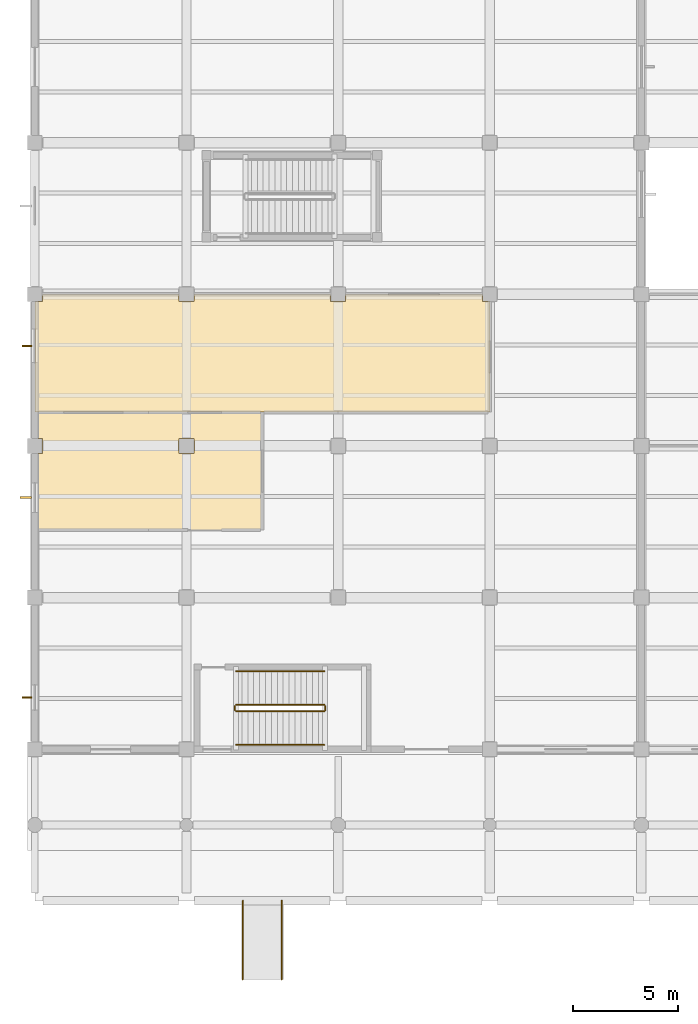
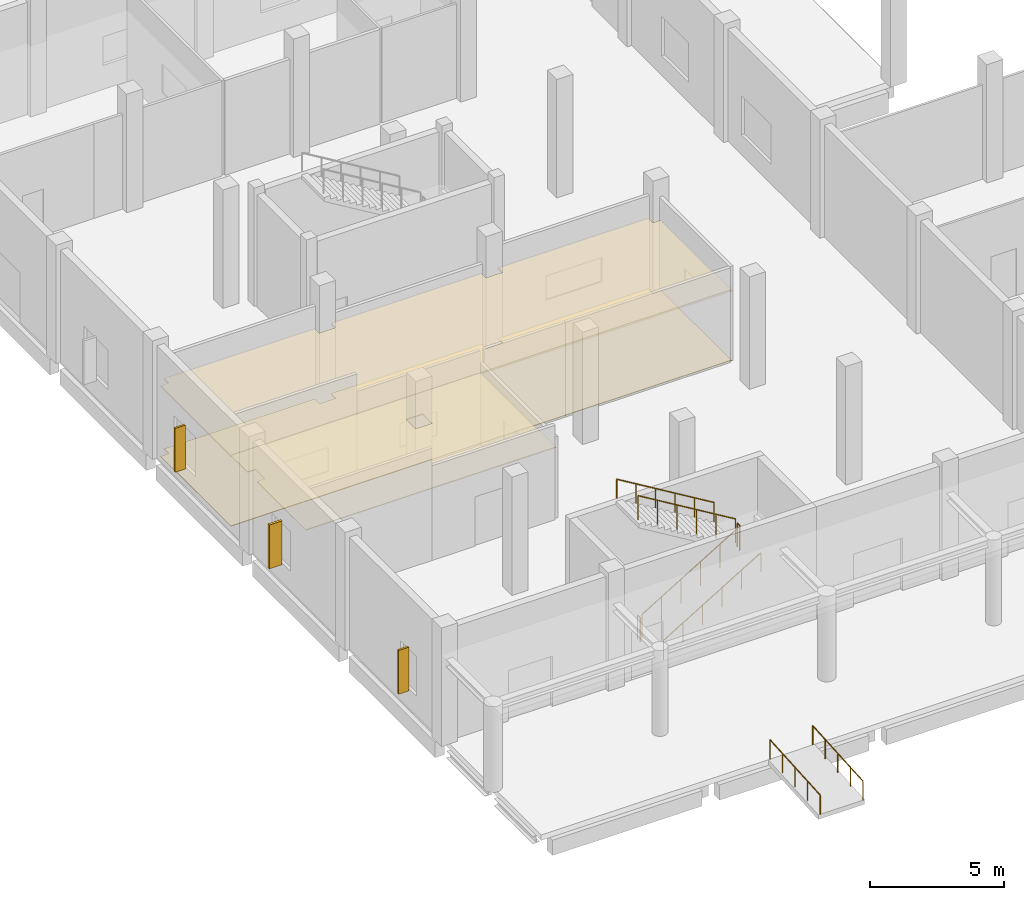
# One storey, part 32 of 46: 8 railings, 3 coverings, 3 shading devices.
"""IFC4 building model written with IfcOpenShell, lengths in metres."""

from ifc_helpers import new_model, si_unit, direction, frame, origin, origin_2d, place, context, subcontext, project, spatial, polyline, rectangle, circle, outline, extrude, material, layer, layer_set, type_object, element, save


model = new_model("IFC4")

# Units and contexts
model_context = context("Model", 3, precision=1e-05, world=origin(), true_north=direction((0.0, 1.0)))
body_context = subcontext(model_context, "Body", "Model", "MODEL_VIEW")
ifc_project = project(units=[si_unit("LENGTHUNIT", "METRE"), si_unit("AREAUNIT", "SQUARE_METRE"), si_unit("VOLUMEUNIT", "CUBIC_METRE"), si_unit("PLANEANGLEUNIT", "RADIAN"), si_unit("MASSUNIT", "GRAM", prefix="KILO"), si_unit("THERMODYNAMICTEMPERATUREUNIT", "KELVIN"), si_unit("POWERUNIT", "WATT")], contexts=[model_context])

# Site, building, storey
site_placement = place(None, origin())
site = spatial("IfcSite", under=ifc_project, at=site_placement, CompositionType="ELEMENT")
building_placement = place(site_placement, origin())
building = spatial("IfcBuilding", under=site, at=building_placement, Name="Kaldorven Railside Theatre", CompositionType="ELEMENT")
storey_placement = place(building_placement, origin())
storey = spatial("IfcBuildingStorey", under=building, at=storey_placement, Name="L00", CompositionType="ELEMENT", Elevation=0.0)

# Coverings
ifc_material_1 = material(Name="Acoustic gypsum board")
ifc_layer_1 = layer(ifc_material_1, 0.0400390625, Name="Acoustic gypsum board")
ifc_layer_set_1 = layer_set([ifc_layer_1], Name="Acoustic gypsum board")
covering_type_1 = type_object("IfcCoveringType", Name="COV-CLG-01", PredefinedType="CEILING", material=ifc_layer_set_1)
covering_1_placement = place(storey_placement, frame((0.0, 0.0, 3.2099609375)))
element("IfcCovering", 1, at=covering_1_placement, inside=storey, type_object=covering_type_1, Name="Theatre Shop Acoustic Ceiling 001", PredefinedType="CEILING", context=body_context, shape_type="SweptSolid", body=[
    extrude(outline(polyline([(8.0, 35.199951171875), (18.800048828125, 35.199951171875), (18.800048828125, 29.60009765625), (8.0, 29.60009765625), (8.0, 33.248046875), (8.35205078125, 33.248046875), (8.35205078125, 33.951904296875), (8.0, 33.951904296875), (8.0, 35.199951171875)]), holes=[polyline([(15.552001953125, 33.951904296875), (14.847900390625, 33.951904296875), (14.847900390625, 33.248046875), (15.552001953125, 33.248046875), (15.552001953125, 33.951904296875)])]), origin(), (0.0, 0.0, 1.0), 0.0400390625),
])
ifc_material_2 = material(Name="Acoustic hardwood timber", Category="wood")
ifc_layer_2 = layer(ifc_material_2, 0.080078125, Name="Acoustic hardwood timber")
ifc_layer_set_2 = layer_set([ifc_layer_2], Name="Acoustic hardwood timber")
covering_type_2 = type_object("IfcCoveringType", Name="COV-CLG-02", PredefinedType="CEILING", material=ifc_layer_set_2)
covering_2_placement = place(storey_placement, frame((0.0, 0.0, 3.169921875)))
element("IfcCovering", 2, at=covering_2_placement, inside=storey, type_object=covering_type_2, Name="Drama Rehearsal Room Acoustic Ceiling 002", PredefinedType="CEILING", context=body_context, shape_type="SweptSolid", body=[
    extrude(outline(polyline([(29.60009765625, 35.199951171875), (8.0, 35.199951171875), (8.0, 40.447998046875), (8.35205078125, 40.447998046875), (8.35205078125, 40.800048828125), (14.847900390625, 40.800048828125), (14.847900390625, 40.447998046875), (15.552001953125, 40.447998046875), (15.552001953125, 40.800048828125), (22.048095703125, 40.800048828125), (22.048095703125, 40.447998046875), (22.751953125, 40.447998046875), (22.751953125, 40.800048828125), (29.248046875, 40.800048828125), (29.248046875, 40.447998046875), (29.60009765625, 40.447998046875), (29.60009765625, 35.199951171875)])), origin(), (0.0, 0.0, 1.0), 0.080078125),
])
ifc_layer_3 = layer(ifc_material_2, 0.030029296875, Name="Acoustic hardwood timber")
ifc_layer_set_3 = layer_set([ifc_layer_3], Name="Acoustic hardwood timber")
covering_type_3 = type_object("IfcCoveringType", Name="COV-FLR-01", PredefinedType="FLOORING", material=ifc_layer_set_3)
covering_3_placement = place(storey_placement, origin())
element("IfcCovering", 3, at=covering_3_placement, inside=storey, type_object=covering_type_3, Name="Drama Rehearsal Room Finish Flooring FLR-001", PredefinedType="FLOORING", context=body_context, shape_type="SweptSolid", body=[
    extrude(outline(polyline([(29.60009765625, 35.199951171875), (8.0, 35.199951171875), (8.0, 40.447998046875), (8.35205078125, 40.447998046875), (8.35205078125, 40.800048828125), (14.847900390625, 40.800048828125), (14.847900390625, 40.447998046875), (15.552001953125, 40.447998046875), (15.552001953125, 40.800048828125), (22.048095703125, 40.800048828125), (22.048095703125, 40.447998046875), (22.751953125, 40.447998046875), (22.751953125, 40.800048828125), (29.248046875, 40.800048828125), (29.248046875, 40.447998046875), (29.60009765625, 40.447998046875), (29.60009765625, 35.199951171875)])), origin(), (0.0, 0.0, 1.0), 0.030029296875),
])

# Railings
ifc_material_3 = material(Name="Anodised bronze aluminium", Category="aluminium")
railing_type_1 = type_object("IfcRailingType", Name="RLG-BAL-1100", PredefinedType="BALUSTRADE", material=ifc_material_3)
for number, where, name in (
    (4, (17.8798828125, 8.260009765625, -0.25), "Ramp Handrail RHR-01W"),
    (5, (19.719970703125, 8.260009765625, -0.25), "Ramp Handrail RHR-01E"),
):
    element("IfcRailing", number, at=place(storey_placement, frame(where)), inside=storey, type_object=railing_type_1, Name=name, PredefinedType="HANDRAIL", context=body_context, shape_type="SweptSolid", body=[
        extrude(circle(Radius=0.02392578125, at=origin_2d()), frame((0.0, 0.0, 0.8759765625), z_axis=(0.0, 0.997785157857, 0.066519010524), x_axis=(-1.0, 0.0, 0.0)), (0.0, 0.0, 1.0), 3.75830078125),
        extrude(circle(Radius=0.02099609375, at=origin_2d()), origin(), (0.0, 0.0, 1.0), 0.851806640625),
        extrude(circle(Radius=0.02099609375, at=origin_2d()), frame((0.0, 0.9375, 0.0625)), (0.0, 0.0, 1.0), 0.851806640625),
        extrude(circle(Radius=0.02099609375, at=origin_2d()), frame((0.0, 1.875, 0.125)), (0.0, 0.0, 1.0), 0.851806640625),
        extrude(circle(Radius=0.02099609375, at=origin_2d()), frame((0.0, 2.8125, 0.1875)), (0.0, 0.0, 1.0), 0.851806640625),
        extrude(circle(Radius=0.02099609375, at=origin_2d()), frame((0.0, 3.75, 0.25)), (0.0, 0.0, 1.0), 0.851806640625),
    ])
ifc_material_4 = material(Name="Steel S355", Category="steel")
railing_type_2 = type_object("IfcRailingType", Name="RLG-STG-1100", PredefinedType="BALUSTRADE", material=ifc_material_4)
railing_1_placement = place(storey_placement, frame((17.550048828125, 21.0, 0.168701171875)))
element("IfcRailing", 6, at=railing_1_placement, inside=storey, type_object=railing_type_2, Name="L00 ST-01 stair guard 1", PredefinedType="BALUSTRADE", context=body_context, shape_type="SweptSolid", body=[
    extrude(circle(Radius=0.02392578125, at=origin_2d()), frame((0.0, 0.0, 1.09619140625), z_axis=(0.856476492594, 0.0, 0.516186030065), x_axis=(0.0, 1.0, 0.0)), (0.0, 0.0, 1.0), 4.90380859375),
    extrude(circle(Radius=0.02099609375, at=origin_2d()), origin(), (0.0, 0.0, 1.0), 1.072021484375),
    extrude(circle(Radius=0.02099609375, at=origin_2d()), frame((0.840087890625, 0.0, 0.50634765625)), (0.0, 0.0, 1.0), 1.072021484375),
    extrude(circle(Radius=0.02099609375, at=origin_2d()), frame((1.679931640625, 0.0, 1.012451171875)), (0.0, 0.0, 1.0), 1.072021484375),
    extrude(circle(Radius=0.02099609375, at=origin_2d()), frame((2.52001953125, 0.0, 1.518798828125)), (0.0, 0.0, 1.0), 1.072021484375),
    extrude(circle(Radius=0.02099609375, at=origin_2d()), frame((3.35986328125, 0.0, 2.02490234375)), (0.0, 0.0, 1.0), 1.072021484375),
    extrude(circle(Radius=0.02099609375, at=origin_2d()), frame((4.199951171875, 0.0, 2.53125)), (0.0, 0.0, 1.0), 1.072021484375),
])
railing_2_placement = place(storey_placement, frame((21.800048828125, 21.050048828125, 2.699951171875)))
element("IfcRailing", 7, at=railing_2_placement, inside=storey, type_object=railing_type_2, Name="L00 ST-01 stair guard 2", PredefinedType="BALUSTRADE", context=body_context, shape_type="SweptSolid", body=[
    extrude(circle(Radius=0.02392578125, at=origin_2d()), frame((0.0, 0.0, 1.09619140625), z_axis=(0.0, 1.0, 0.0), x_axis=(-1.0, 0.0, 0.0)), (0.0, 0.0, 1.0), 0.199951171875),
    extrude(circle(Radius=0.02099609375, at=origin_2d()), origin(), (0.0, 0.0, 1.0), 1.072021484375),
    extrude(circle(Radius=0.02099609375, at=origin_2d()), frame((0.0, 0.199951171875, 0.0)), (0.0, 0.0, 1.0), 1.072021484375),
])
railing_3_placement = place(storey_placement, frame((21.75, 21.300048828125, 2.86865234375)))
element("IfcRailing", 8, at=railing_3_placement, inside=storey, type_object=railing_type_2, Name="L00 ST-01 stair guard 3", PredefinedType="BALUSTRADE", context=body_context, shape_type="SweptSolid", body=[
    extrude(circle(Radius=0.02392578125, at=origin_2d()), frame((0.0, 0.0, 1.09619140625), z_axis=(-0.856476492594, 0.0, 0.516186030065), x_axis=(0.0, -1.0, 0.0)), (0.0, 0.0, 1.0), 4.90380859375),
    extrude(circle(Radius=0.02099609375, at=origin_2d()), origin(), (0.0, 0.0, 1.0), 1.072021484375),
    extrude(circle(Radius=0.02099609375, at=origin_2d()), frame((-0.840087890625, 0.0, 0.50634765625)), (0.0, 0.0, 1.0), 1.072021484375),
    extrude(circle(Radius=0.02099609375, at=origin_2d()), frame((-1.679931640625, 0.0, 1.012451171875)), (0.0, 0.0, 1.0), 1.072021484375),
    extrude(circle(Radius=0.02099609375, at=origin_2d()), frame((-2.52001953125, 0.0, 1.518798828125)), (0.0, 0.0, 1.0), 1.072021484375),
    extrude(circle(Radius=0.02099609375, at=origin_2d()), frame((-3.35986328125, 0.0, 2.02490234375)), (0.0, 0.0, 1.0), 1.072021484375),
    extrude(circle(Radius=0.02099609375, at=origin_2d()), frame((-4.199951171875, 0.0, 2.53125)), (0.0, 0.0, 1.0), 1.072021484375),
])
railing_4_placement = place(storey_placement, frame((17.5, 21.050048828125, 0.0)))
element("IfcRailing", 9, at=railing_4_placement, inside=storey, type_object=railing_type_2, Name="L00 ST-01 stair guard 4", PredefinedType="BALUSTRADE", context=body_context, shape_type="SweptSolid", body=[
    extrude(circle(Radius=0.02392578125, at=origin_2d()), frame((0.0, 0.0, 1.09619140625), z_axis=(0.0, 1.0, 0.0), x_axis=(-1.0, 0.0, 0.0)), (0.0, 0.0, 1.0), 0.199951171875),
    extrude(circle(Radius=0.02099609375, at=origin_2d()), origin(), (0.0, 0.0, 1.0), 1.072021484375),
    extrude(circle(Radius=0.02099609375, at=origin_2d()), frame((0.0, 0.199951171875, 0.0)), (0.0, 0.0, 1.0), 1.072021484375),
])
railing_type_3 = type_object("IfcRailingType", Name="RLG-STH-900", PredefinedType="HANDRAIL", material=ifc_material_4)
railing_5_placement = place(storey_placement, frame((17.550048828125, 19.39990234375, 0.168701171875)))
element("IfcRailing", 10, at=railing_5_placement, inside=storey, type_object=railing_type_3, Name="L00 ST-01 stair handrail 1", PredefinedType="HANDRAIL", context=body_context, shape_type="SweptSolid", body=[
    extrude(circle(Radius=0.02392578125, at=origin_2d()), frame((0.0, 0.0, 0.8759765625), z_axis=(0.856476492594, 0.0, 0.516186030065), x_axis=(0.0, 1.0, 0.0)), (0.0, 0.0, 1.0), 4.90380859375),
    extrude(circle(Radius=0.02099609375, at=origin_2d()), origin(), (0.0, 0.0, 1.0), 0.851806640625),
    extrude(circle(Radius=0.02099609375, at=origin_2d()), frame((0.840087890625, 0.0, 0.50634765625)), (0.0, 0.0, 1.0), 0.851806640625),
    extrude(circle(Radius=0.02099609375, at=origin_2d()), frame((1.679931640625, 0.0, 1.012451171875)), (0.0, 0.0, 1.0), 0.851806640625),
    extrude(circle(Radius=0.02099609375, at=origin_2d()), frame((2.52001953125, 0.0, 1.518798828125)), (0.0, 0.0, 1.0), 0.851806640625),
    extrude(circle(Radius=0.02099609375, at=origin_2d()), frame((3.35986328125, 0.0, 2.02490234375)), (0.0, 0.0, 1.0), 0.851806640625),
    extrude(circle(Radius=0.02099609375, at=origin_2d()), frame((4.199951171875, 0.0, 2.53125)), (0.0, 0.0, 1.0), 0.851806640625),
])
railing_6_placement = place(storey_placement, frame((21.75, 22.89990234375, 2.86865234375)))
element("IfcRailing", 11, at=railing_6_placement, inside=storey, type_object=railing_type_3, Name="L00 ST-01 stair handrail 2", PredefinedType="HANDRAIL", context=body_context, shape_type="SweptSolid", body=[
    extrude(circle(Radius=0.02392578125, at=origin_2d()), frame((0.0, 0.0, 0.8759765625), z_axis=(-0.856476492594, 0.0, 0.516186030065), x_axis=(0.0, -1.0, 0.0)), (0.0, 0.0, 1.0), 4.90380859375),
    extrude(circle(Radius=0.02099609375, at=origin_2d()), origin(), (0.0, 0.0, 1.0), 0.851806640625),
    extrude(circle(Radius=0.02099609375, at=origin_2d()), frame((-0.840087890625, 0.0, 0.50634765625)), (0.0, 0.0, 1.0), 0.851806640625),
    extrude(circle(Radius=0.02099609375, at=origin_2d()), frame((-1.679931640625, 0.0, 1.012451171875)), (0.0, 0.0, 1.0), 0.851806640625),
    extrude(circle(Radius=0.02099609375, at=origin_2d()), frame((-2.52001953125, 0.0, 1.518798828125)), (0.0, 0.0, 1.0), 0.851806640625),
    extrude(circle(Radius=0.02099609375, at=origin_2d()), frame((-3.35986328125, 0.0, 2.02490234375)), (0.0, 0.0, 1.0), 0.851806640625),
    extrude(circle(Radius=0.02099609375, at=origin_2d()), frame((-4.199951171875, 0.0, 2.53125)), (0.0, 0.0, 1.0), 0.851806640625),
])

# Shading devices
shading_device_type_1 = type_object("IfcShadingDeviceType", Name="SHD-FIN-01", PredefinedType="USERDEFINED", material=ifc_material_3)
for number, where, z_axis, x_axis, name in (
    (12, (7.618896484375, 21.64990234375, 0.800048828125), (0.0, 0.0, 1.0), (0.0, 1.0, 0.0), "Anodised-Bronze Brise-Soleil Fin FIN-001"),
    (13, (7.618896484375, 38.35009765625, 0.800048828125), (0.0, 0.0, 1.0), (0.0, 1.0, 0.0), "Anodised-Bronze Brise-Soleil Fin FIN-003"),
):
    element("IfcShadingDevice", number, at=place(storey_placement, frame(where, z_axis=z_axis, x_axis=x_axis)), inside=storey, type_object=shading_device_type_1, Name=name, ObjectType="SUNSHADE", PredefinedType="USERDEFINED", context=body_context, shape_type="SweptSolid", body=[
        extrude(rectangle(XDim=0.080078125, YDim=0.449951171875, at=origin_2d()), origin(), (0.0, 0.0, 1.0), 2.0),
    ])
shading_device_type_2 = type_object("IfcShadingDeviceType", Name="SHD-FIN-02", PredefinedType="USERDEFINED", material=ifc_material_3)
shading_device_placement = place(storey_placement, frame((7.569091796875, 31.14990234375, 0.800048828125), z_axis=(0.0, 0.0, 1.0), x_axis=(0.0, 1.0, 0.0)))
element("IfcShadingDevice", 14, at=shading_device_placement, inside=storey, type_object=shading_device_type_2, Name="Anodised-Bronze Brise-Soleil Fin FIN-002", ObjectType="SUNSHADE", PredefinedType="USERDEFINED", context=body_context, shape_type="SweptSolid", body=[
    extrude(rectangle(XDim=0.10009765625, YDim=0.550048828125, at=origin_2d()), origin(), (0.0, 0.0, 1.0), 2.0),
])

save(model, "model.ifc")
